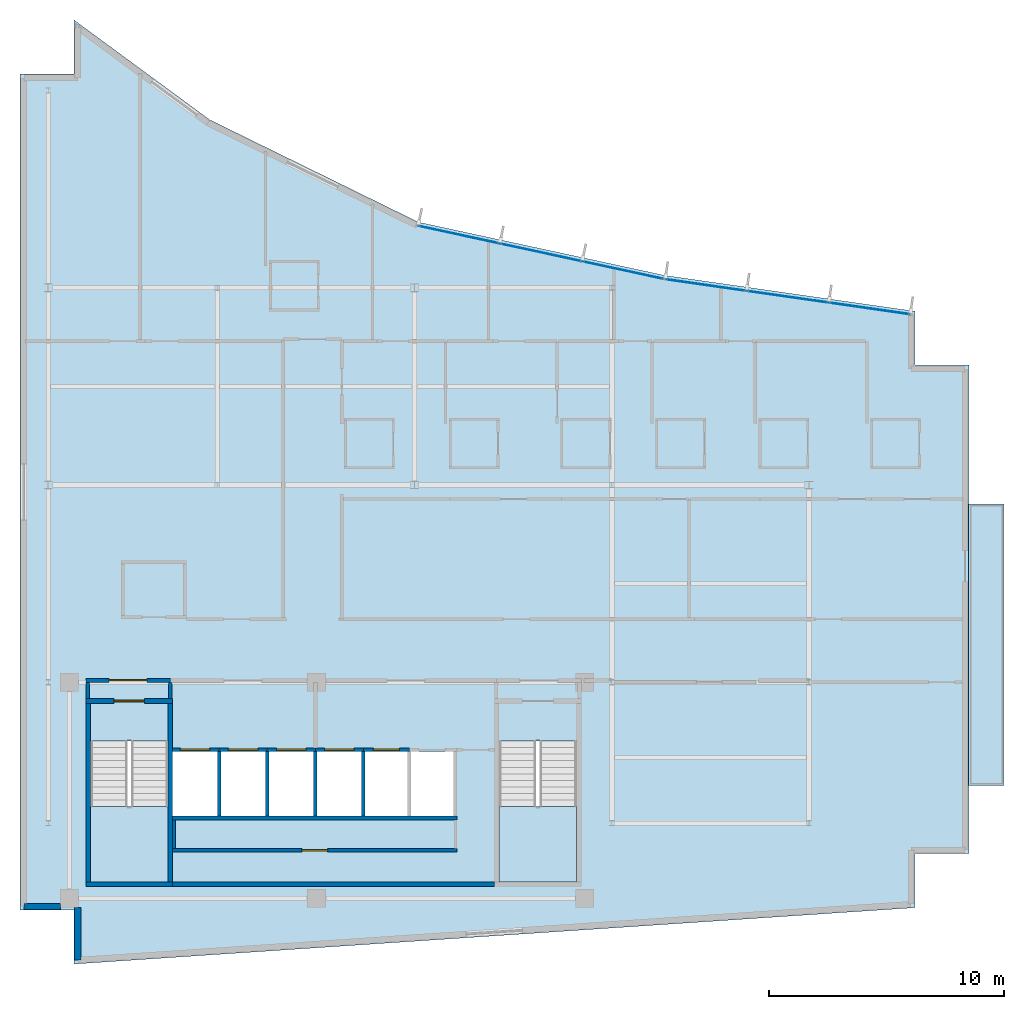
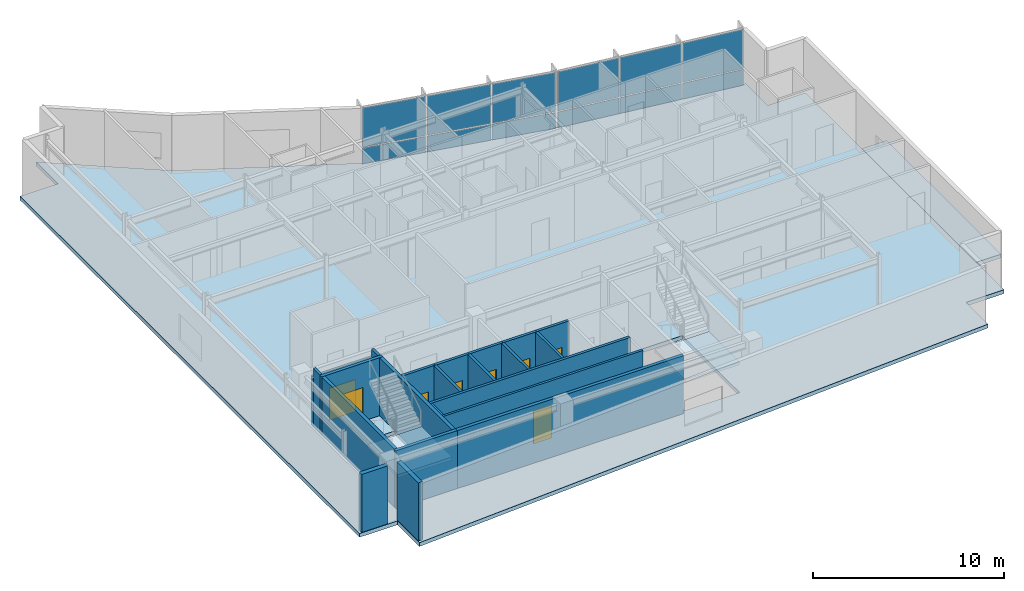
# One storey, part 9 of 16: 22 walls, 12 plates, 8 doors, 4 slabs, 8 openings, 4 elements without a shape of their own.
"""IFC4 building model written with IfcOpenShell, lengths in metres."""

from ifc_helpers import new_model, si_unit, direction, frame, frame_2d, origin, origin_2d, place, context, subcontext, project, spatial, polyline, rectangle, outline, extrude, material, layer, layer_set, type_object, element, fill, aggregate, save


model = new_model("IFC4")

# Units and contexts
model_context = context("Model", 3, precision=1e-05, world=origin(), true_north=direction((0.0, 1.0)))
body_context = subcontext(model_context, "Body", "Model", "MODEL_VIEW")
ifc_project = project(units=[si_unit("LENGTHUNIT", "METRE"), si_unit("AREAUNIT", "SQUARE_METRE"), si_unit("VOLUMEUNIT", "CUBIC_METRE"), si_unit("PLANEANGLEUNIT", "RADIAN"), si_unit("MASSUNIT", "GRAM", prefix="KILO")], contexts=[model_context])

# Site, building, storey
site_placement = place(None, origin())
site = spatial("IfcSite", under=ifc_project, at=site_placement, CompositionType="ELEMENT")
building_placement = place(site_placement, origin())
building = spatial("IfcBuilding", under=site, at=building_placement, Name="Varnakote Quay Hospital", CompositionType="ELEMENT")
storey_placement = place(building_placement, frame((0.0, 0.0, 292.10009765625)))
storey = spatial("IfcBuildingStorey", under=building, at=storey_placement, Name="L72", CompositionType="ELEMENT", Elevation=292.10009765625)

# Curtain wall, plates
ifc_material_1 = material(Name="Anodised aluminium 6063-T6 Bronze", Category="aluminium")
ifc_layer_1 = layer(ifc_material_1, 0.235107421875)
ifc_layer_set_1 = layer_set([ifc_layer_1], Name="Anodised aluminium 6063-T6 Bronze")
curtain_wall_type = type_object("IfcCurtainWallType", Name="CW-SYS-5", PredefinedType="NOTDEFINED", material=ifc_layer_set_1)
curtain_wall_1_placement = place(storey_placement, origin())
curtain_wall_1 = element("IfcCurtainWall", 1, at=curtain_wall_1_placement, inside=storey, type_object=curtain_wall_type, Name="L72 Unitised Bronze Curtain Wall 1", PredefinedType="NOTDEFINED")
ifc_material_2 = material(Name="Double-glazed low-E solar glass", Category="glass")
ifc_layer_2 = layer(ifc_material_2, 0.028076171875)
ifc_layer_set_2 = layer_set([ifc_layer_2], Name="Double-glazed low-E solar glass")
plate_type = type_object("IfcPlateType", Name="CW-PNL-GLZ-28", PredefinedType="CURTAIN_PANEL", material=ifc_layer_set_2)
plate_1_placement = place(storey_placement, frame((36.174560546875, 27.913818359375, 0.06494140625), z_axis=(0.0, 0.0, 1.0), x_axis=(-0.989927979062, 0.141571876691, 0.0)))
plate_1 = element("IfcPlate", 2, at=plate_1_placement, type_object=plate_type, Name="-5-L72-1 panel 1.1", PredefinedType="CURTAIN_PANEL", context=body_context, shape_type="SweptSolid", body=[
    extrude(rectangle(XDim=3.436767578125, YDim=0.028076171875, at=origin_2d()), origin(), (0.0, 0.0, 1.0), 1.00244140625),
])
plate_2_placement = place(storey_placement, frame((36.174560546875, 27.913818359375, 1.13232421875), z_axis=(0.0, 0.0, 1.0), x_axis=(-0.989927979062, 0.141571876691, 0.0)))
plate_2 = element("IfcPlate", 3, at=plate_2_placement, type_object=plate_type, Name="-5-L72-1 panel 1.2", PredefinedType="CURTAIN_PANEL", context=body_context, shape_type="SweptSolid", body=[
    extrude(rectangle(XDim=3.436767578125, YDim=0.028076171875, at=origin_2d()), origin(), (0.0, 0.0, 1.0), 2.512451171875),
])
plate_3_placement = place(storey_placement, frame((32.69189453125, 28.411865234375, 0.06494140625), z_axis=(0.0, 0.0, 1.0), x_axis=(-0.989927979062, 0.141571876691, 0.0)))
plate_3 = element("IfcPlate", 4, at=plate_3_placement, type_object=plate_type, Name="-5-L72-1 panel 2.1", PredefinedType="CURTAIN_PANEL", context=body_context, shape_type="SweptSolid", body=[
    extrude(rectangle(XDim=3.469482421875, YDim=0.028076171875, at=origin_2d()), origin(), (0.0, 0.0, 1.0), 1.00244140625),
])
plate_4_placement = place(storey_placement, frame((32.69189453125, 28.411865234375, 1.13232421875), z_axis=(0.0, 0.0, 1.0), x_axis=(-0.989927979062, 0.141571876691, 0.0)))
plate_4 = element("IfcPlate", 5, at=plate_4_placement, type_object=plate_type, Name="-5-L72-1 panel 2.2", PredefinedType="CURTAIN_PANEL", context=body_context, shape_type="SweptSolid", body=[
    extrude(rectangle(XDim=3.469482421875, YDim=0.028076171875, at=origin_2d()), origin(), (0.0, 0.0, 1.0), 2.512451171875),
])
plate_5_placement = place(storey_placement, frame((29.209228515625, 28.909912109375, 0.06494140625), z_axis=(0.0, 0.0, 1.0), x_axis=(-0.989927979062, 0.141571876691, 0.0)))
plate_5 = element("IfcPlate", 6, at=plate_5_placement, type_object=plate_type, Name="-5-L72-1 panel 3.1", PredefinedType="CURTAIN_PANEL", context=body_context, shape_type="SweptSolid", body=[
    extrude(rectangle(XDim=3.436767578125, YDim=0.028076171875, at=origin_2d()), origin(), (0.0, 0.0, 1.0), 1.00244140625),
])
plate_6_placement = place(storey_placement, frame((29.209228515625, 28.909912109375, 1.13232421875), z_axis=(0.0, 0.0, 1.0), x_axis=(-0.989927979062, 0.141571876691, 0.0)))
plate_6 = element("IfcPlate", 7, at=plate_6_placement, type_object=plate_type, Name="-5-L72-1 panel 3.2", PredefinedType="CURTAIN_PANEL", context=body_context, shape_type="SweptSolid", body=[
    extrude(rectangle(XDim=3.436767578125, YDim=0.028076171875, at=origin_2d()), origin(), (0.0, 0.0, 1.0), 2.512451171875),
])
aggregate(curtain_wall_1, [plate_1, plate_2, plate_3, plate_4, plate_5, plate_6])

curtain_wall_2_placement = place(storey_placement, origin())
curtain_wall_2 = element("IfcCurtainWall", 8, at=curtain_wall_2_placement, inside=storey, type_object=curtain_wall_type, Name="L72 Unitised Bronze Curtain Wall 2", PredefinedType="NOTDEFINED")
plate_7_placement = place(storey_placement, frame((25.673095703125, 29.54541015625, 0.06494140625), z_axis=(0.0, 0.0, 1.0), x_axis=(-0.97739794114, 0.211407815974, 0.0)))
plate_7 = element("IfcPlate", 9, at=plate_7_placement, type_object=plate_type, Name="-5-L72-2 panel 1.1", PredefinedType="CURTAIN_PANEL", context=body_context, shape_type="SweptSolid", body=[
    extrude(rectangle(XDim=3.4931640625, YDim=0.028076171875, at=origin_2d()), origin(), (0.0, 0.0, 1.0), 1.00244140625),
])
plate_8_placement = place(storey_placement, frame((25.673095703125, 29.54541015625, 1.13232421875), z_axis=(0.0, 0.0, 1.0), x_axis=(-0.97739794114, 0.211407815974, 0.0)))
plate_8 = element("IfcPlate", 10, at=plate_8_placement, type_object=plate_type, Name="-5-L72-2 panel 1.2", PredefinedType="CURTAIN_PANEL", context=body_context, shape_type="SweptSolid", body=[
    extrude(rectangle(XDim=3.4931640625, YDim=0.028076171875, at=origin_2d()), origin(), (0.0, 0.0, 1.0), 2.512451171875),
])
plate_9_placement = place(storey_placement, frame((22.179443359375, 30.301025390625, 0.06494140625), z_axis=(0.0, 0.0, 1.0), x_axis=(-0.97739794114, 0.211407815974, 0.0)))
plate_9 = element("IfcPlate", 11, at=plate_9_placement, type_object=plate_type, Name="-5-L72-2 panel 2.1", PredefinedType="CURTAIN_PANEL", context=body_context, shape_type="SweptSolid", body=[
    extrude(rectangle(XDim=3.525634765625, YDim=0.028076171875, at=origin_2d()), origin(), (0.0, 0.0, 1.0), 1.00244140625),
])
plate_10_placement = place(storey_placement, frame((22.179443359375, 30.301025390625, 1.13232421875), z_axis=(0.0, 0.0, 1.0), x_axis=(-0.97739794114, 0.211407815974, 0.0)))
plate_10 = element("IfcPlate", 12, at=plate_10_placement, type_object=plate_type, Name="-5-L72-2 panel 2.2", PredefinedType="CURTAIN_PANEL", context=body_context, shape_type="SweptSolid", body=[
    extrude(rectangle(XDim=3.525634765625, YDim=0.028076171875, at=origin_2d()), origin(), (0.0, 0.0, 1.0), 2.512451171875),
])
plate_11_placement = place(storey_placement, frame((18.685791015625, 31.056640625, 0.06494140625), z_axis=(0.0, 0.0, 1.0), x_axis=(-0.97739794114, 0.211407815974, 0.0)))
plate_11 = element("IfcPlate", 13, at=plate_11_placement, type_object=plate_type, Name="-5-L72-2 panel 3.1", PredefinedType="CURTAIN_PANEL", context=body_context, shape_type="SweptSolid", body=[
    extrude(rectangle(XDim=3.4931640625, YDim=0.028076171875, at=origin_2d()), origin(), (0.0, 0.0, 1.0), 1.00244140625),
])
plate_12_placement = place(storey_placement, frame((18.685791015625, 31.056640625, 1.13232421875), z_axis=(0.0, 0.0, 1.0), x_axis=(-0.97739794114, 0.211407815974, 0.0)))
plate_12 = element("IfcPlate", 14, at=plate_12_placement, type_object=plate_type, Name="-5-L72-2 panel 3.2", PredefinedType="CURTAIN_PANEL", context=body_context, shape_type="SweptSolid", body=[
    extrude(rectangle(XDim=3.4931640625, YDim=0.028076171875, at=origin_2d()), origin(), (0.0, 0.0, 1.0), 2.512451171875),
])
aggregate(curtain_wall_2, [plate_7, plate_8, plate_9, plate_10, plate_11, plate_12])

# Stair, slab
ifc_material_3 = material(Name="Concrete N40 (f'c 40 MPa)", Category="concrete")
stair_type = type_object("IfcStairType", Name="STR-CORE-1580", PredefinedType="HALF_TURN_STAIR", material=ifc_material_3)
stair_1_placement = place(storey_placement, origin())
stair_1 = element("IfcStair", 15, at=stair_1_placement, inside=storey, type_object=stair_type, Name="L72 Fire-Isolated Exit Stair ST-01", PredefinedType="HALF_TURN_STAIR")
ifc_material_4 = material(Name="Concrete N40 (f'c 40 MPa)", Category="concrete")
ifc_layer_3 = layer(ifc_material_4, 0.199951171875)
ifc_layer_set_3 = layer_set([ifc_layer_3], Name="Concrete N40 (f'c 40 MPa)")
slab_type_1 = type_object("IfcSlabType", Name="SLB-STAIR-LND-200", PredefinedType="LANDING", material=ifc_layer_set_3)
slab_1_placement = place(storey_placement, frame((0.0, 0.0, 1.77490234375)))
slab_1 = element("IfcSlab", 16, at=slab_1_placement, type_object=slab_type_1, Name="ST-01 landing 1", PredefinedType="LANDING", context=body_context, shape_type="SweptSolid", body=[
    extrude(outline(polyline([(3.0, 6.699951171875), (3.0, 3.5), (6.300048828125, 3.5), (6.300048828125, 6.699951171875), (3.0, 6.699951171875)])), origin(), (0.0, 0.0, 1.0), 0.199951171875),
])
aggregate(stair_1, [slab_1])

stair_2_placement = place(storey_placement, origin())
stair_2 = element("IfcStair", 17, at=stair_2_placement, inside=storey, type_object=stair_type, Name="L72 Fire-Isolated Exit Stair ST-02", PredefinedType="HALF_TURN_STAIR")
slab_2_placement = place(storey_placement, frame((0.0, 0.0, 1.77490234375)))
slab_2 = element("IfcSlab", 18, at=slab_2_placement, type_object=slab_type_1, Name="ST-02 landing 1", PredefinedType="LANDING", context=body_context, shape_type="SweptSolid", body=[
    extrude(outline(polyline([(20.39990234375, 6.699951171875), (20.39990234375, 3.5), (23.699951171875, 3.5), (23.699951171875, 6.699951171875), (20.39990234375, 6.699951171875)])), origin(), (0.0, 0.0, 1.0), 0.199951171875),
])
aggregate(stair_2, [slab_2])

# Slabs
ifc_material_5 = material(Name="Concrete N50 (f'c 50 MPa)", Category="concrete")
ifc_layer_4 = layer(ifc_material_5, 0.239990234375)
ifc_layer_set_4 = layer_set([ifc_layer_4], Name="Concrete N50 (f'c 50 MPa)")
slab_type_2 = type_object("IfcSlabType", Name="SLB-TERR-200", PredefinedType="FLOOR", material=ifc_layer_set_4)
slab_3_placement = place(storey_placement, frame((0.0, 0.0, -0.239990234375)))
element("IfcSlab", 19, at=slab_3_placement, inside=storey, type_object=slab_type_2, Name="L72 Waterfront Healing Terrace Slab", PredefinedType="FLOOR", context=body_context, shape_type="SweptSolid", body=[
    extrude(outline(polyline([(40.39599609375, 7.60009765625), (41.89990234375, 7.60009765625), (41.89990234375, 19.60009765625), (40.39599609375, 19.60009765625), (40.39599609375, 7.60009765625)])), origin(), (0.0, 0.0, 1.0), 0.239990234375),
])
ifc_material_6 = material(Name="Concrete N50 (f'c 50 MPa)", Category="concrete")
ifc_layer_5 = layer(ifc_material_6, 0.239990234375)
ifc_layer_set_5 = layer_set([ifc_layer_5], Name="Concrete N50 (f'c 50 MPa)")
slab_type_3 = type_object("IfcSlabType", Name="SLB-WARD-200", PredefinedType="FLOOR", material=ifc_layer_set_5)
slab_4_placement = place(storey_placement, frame((0.0, 0.0, -0.239990234375)))
element("IfcSlab", 20, at=slab_4_placement, inside=storey, type_object=slab_type_3, Name="L72 Primary Floor Slab", PredefinedType="FLOOR", context=body_context, shape_type="SweptSolid", body=[
    extrude(outline(polyline([(0.0, 2.300048828125), (2.300048828125, 2.300048828125), (2.300048828125, 0.0), (38.10009765625, 2.39990234375), (38.10009765625, 4.699951171875), (40.39990234375, 4.699951171875), (40.39990234375, 25.5), (38.10009765625, 25.5), (38.10009765625, 27.800048828125), (27.471923828125, 29.320068359375), (16.968017578125, 31.592041015625), (8.080078125, 35.951904296875), (2.300048828125, 40.199951171875), (2.300048828125, 37.89990234375), (0.0, 37.89990234375), (0.0, 2.300048828125)]), holes=[polyline([(3.0, 3.5), (6.300048828125, 3.5), (6.300048828125, 9.49951171875), (3.0, 9.49951171875), (3.0, 3.5)]), polyline([(20.39990234375, 3.5), (23.699951171875, 3.5), (23.699951171875, 9.49951171875), (20.39990234375, 9.49951171875), (20.39990234375, 3.5)]), polyline([(6.5, 6.300048828125), (8.39990234375, 6.300048828125), (8.39990234375, 9.050048828125), (6.5, 9.050048828125), (6.5, 6.300048828125)]), polyline([(8.550048828125, 6.300048828125), (10.449951171875, 6.300048828125), (10.449951171875, 9.050048828125), (8.550048828125, 9.050048828125), (8.550048828125, 6.300048828125)]), polyline([(10.60009765625, 6.300048828125), (12.5, 6.300048828125), (12.5, 9.050048828125), (10.60009765625, 9.050048828125), (10.60009765625, 6.300048828125)]), polyline([(12.64990234375, 6.300048828125), (14.550048828125, 6.300048828125), (14.550048828125, 9.050048828125), (12.64990234375, 9.050048828125), (12.64990234375, 6.300048828125)]), polyline([(14.699951171875, 6.300048828125), (16.5, 6.300048828125), (16.5, 9.050048828125), (14.699951171875, 9.050048828125), (14.699951171875, 6.300048828125)]), polyline([(16.64990234375, 6.300048828125), (18.449951171875, 6.300048828125), (18.449951171875, 9.050048828125), (16.64990234375, 9.050048828125), (16.64990234375, 6.300048828125)])]), origin(), (0.0, 0.0, 1.0), 0.239990234375),
])

# Wall
ifc_material_7 = material(Name="Fire-rated acoustic gypsum stud wall", Category="gypsum")
ifc_layer_6 = layer(ifc_material_7, 0.159912109375)
ifc_layer_set_6 = layer_set([ifc_layer_6], Name="Fire-rated acoustic gypsum stud wall")
wall_type_1 = type_object("IfcWallType", Name="WL-COMP-160", PredefinedType="PARTITIONING", material=ifc_layer_set_6)
wall_1_placement = place(storey_placement, frame((2.8798828125, 11.300048828125, 0.0), z_axis=(0.0, 0.0, 1.0), x_axis=(0.0, 1.0, 0.0)))
element("IfcWall", 21, at=wall_1_placement, inside=storey, type_object=wall_type_1, Name="L72 West Stair Vestibule West Wall", PredefinedType="PARTITIONING", context=body_context, shape_type="SweptSolid", body=[
    extrude(rectangle(XDim=0.699951171875, YDim=0.159912109375, at=frame_2d((0.35009765625, 0.0))), origin(), (0.0, 0.0, 1.0), 3.7099609375),
])

# Wall, opening, door
wall_2_placement = place(storey_placement, frame((2.800048828125, 12.080078125, 0.0), z_axis=(0.0, 0.0, 1.0), x_axis=(1.0, 0.0, 0.0)))
wall_2 = element("IfcWall", 22, at=wall_2_placement, inside=storey, type_object=wall_type_1, Name="L72 West Stair Vestibule Smoke Wall", PredefinedType="PARTITIONING", context=body_context, shape_type="SweptSolid", body=[
    extrude(rectangle(XDim=3.599853515625, YDim=0.159912109375, at=frame_2d((1.7998046875, 0.0))), origin(), (0.0, 0.0, 1.0), 3.156982421875),
])
opening_1_placement = place(wall_2_placement, frame((1.0, 0.0, 0.0)))
opening_1 = element("IfcOpeningElement", 23, at=opening_1_placement, cuts=wall_2, Name="Opening D-ST1L-L72", PredefinedType="OPENING", context=body_context, shape_type="SweptSolid", body=[
    extrude(rectangle(XDim=1.60009765625, YDim=2.050048828125, at=frame_2d((0.800048828125, 1.02490234375))), frame((0.0, 0.08984375, 0.0), z_axis=(0.0, -1.0, 0.0), x_axis=(1.0, 0.0, 0.0)), (0.0, 0.0, 1.0), 0.179931640625),
])
ifc_material_8 = material(Name="Fire-rated double smoke lobby door")
door_type_1 = type_object("IfcDoorType", Name="DR-LOBBY-FD60S-1600x2150", OperationType="NOTDEFINED", PredefinedType="DOOR", material=ifc_material_8)
door_1_placement = place(opening_1_placement, origin())
door_1 = element("IfcDoor", 24, at=door_1_placement, inside=storey, type_object=door_type_1, Name="L72 West Stair Vestibule Smoke Door", OperationType="DOUBLE_DOOR_SINGLE_SWING", OverallHeight=2.050048828125, OverallWidth=1.60009765625, PredefinedType="DOOR", context=body_context, shape_type="SweptSolid", body=[
    extrude(rectangle(XDim=1.60009765625, YDim=2.050048828125, at=frame_2d((0.800048828125, 1.02490234375))), frame((0.0, 0.02490234375, 0.0), z_axis=(0.0, -1.0, 0.0), x_axis=(1.0, 0.0, 0.0)), (0.0, 0.0, 1.0), 0.050048828125),
])
fill(opening_1, door_1)

# Walls
wall_3_placement = place(storey_placement, frame((6.39990234375, 11.300048828125, 0.0), z_axis=(0.0, 0.0, 1.0), x_axis=(0.0, 1.0, 0.0)))
element("IfcWall", 25, at=wall_3_placement, inside=storey, type_object=wall_type_1, Name="L72 Firefighting Lobby West Wall", PredefinedType="PARTITIONING", context=body_context, shape_type="SweptSolid", body=[
    extrude(rectangle(XDim=0.699951171875, YDim=0.159912109375, at=frame_2d((0.35009765625, 0.0))), origin(), (0.0, 0.0, 1.0), 3.7099609375),
])
ifc_material_9 = material(Name="Concrete N50 (f'c 50 MPa)", Category="concrete")
ifc_layer_7 = layer(ifc_material_9, 0.199951171875)
ifc_layer_set_7 = layer_set([ifc_layer_7], Name="Concrete N50 (f'c 50 MPa)")
wall_type_2 = type_object("IfcWallType", Name="WL-CORE-N50-200", PredefinedType="SHEAR", material=ifc_layer_set_7)
wall_4_placement = place(storey_placement, frame((6.5, 3.39990234375, 0.0), z_axis=(0.0, 0.0, 1.0), x_axis=(1.0, 0.0, 0.0)))
element("IfcWall", 26, at=wall_4_placement, inside=storey, type_object=wall_type_2, Name="L72 Rear Core South Shear Wall", PredefinedType="SHEAR", context=body_context, shape_type="SweptSolid", body=[
    extrude(rectangle(XDim=13.699951171875, YDim=0.199951171875, at=frame_2d((6.85009765625, 0.0))), origin(), (0.0, 0.0, 1.0), 3.7099609375),
])
ifc_material_10 = material(Name="Precast concrete N50 (f'c 50 MPa)", Category="concrete")
ifc_layer_8 = layer(ifc_material_10, 0.260009765625)
ifc_layer_set_8 = layer_set([ifc_layer_8], Name="Precast concrete N50 (f'c 50 MPa)")
wall_type_3 = type_object("IfcWallType", Name="WL-EXT-BRICK-260", PredefinedType="STANDARD", material=ifc_layer_set_8)
wall_5_placement = place(storey_placement, frame((2.4599609375, 2.4150390625, 0.0), z_axis=(0.0, 0.0, 1.0), x_axis=(0.0, -1.0, 0.0)))
element("IfcWall", 27, at=wall_5_placement, inside=storey, type_object=wall_type_3, Name="L72 Brick-Faced Precast Exterior Wall", PredefinedType="STANDARD", context=body_context, shape_type="SweptSolid", body=[
    extrude(rectangle(XDim=2.243896484375, YDim=0.260009765625, at=frame_2d((1.1220703125, 0.0))), origin(), (0.0, 0.0, 1.0), 3.7099609375),
])
wall_6_placement = place(storey_placement, frame((0.159912109375, 2.4599609375, 0.0), z_axis=(0.0, 0.0, 1.0), x_axis=(1.0, 0.0, 0.0)))
element("IfcWall", 28, at=wall_6_placement, inside=storey, type_object=wall_type_3, Name="L72 Brick-Faced Precast Exterior Wall", PredefinedType="STANDARD", context=body_context, shape_type="SweptSolid", body=[
    extrude(rectangle(XDim=1.55517578125, YDim=0.260009765625, at=frame_2d((0.777587890625, 0.0))), origin(), (0.0, 0.0, 1.0), 3.7099609375),
])
ifc_material_11 = material(Name="Concrete N50 (f'c 50 MPa)", Category="concrete")
ifc_layer_9 = layer(ifc_material_11, 0.14990234375)
ifc_layer_set_9 = layer_set([ifc_layer_9], Name="Concrete N50 (f'c 50 MPa)")
wall_type_4 = type_object("IfcWallType", Name="WL-SHAFT-N50-150", PredefinedType="SHEAR", material=ifc_layer_set_9)
for number, where, z_axis, x_axis, name in (
    (29, (8.47509765625, 6.300048828125, 0.0), (0.0, 0.0, 1.0), (0.0, 1.0, 0.0), "L72 LF-FF1 Hoistway Divider Wall"),
    (30, (10.52490234375, 6.300048828125, 0.0), (0.0, 0.0, 1.0), (0.0, 1.0, 0.0), "L72 LF-FF2 Hoistway Divider Wall"),
    (31, (12.574951171875, 6.300048828125, 0.0), (0.0, 0.0, 1.0), (0.0, 1.0, 0.0), "L72 LF-SV1 Hoistway Divider Wall"),
    (32, (14.625, 6.300048828125, 0.0), (0.0, 0.0, 1.0), (0.0, 1.0, 0.0), "L72 LF-SV2 Hoistway Divider Wall"),
):
    element("IfcWall", number, at=place(storey_placement, frame(where, z_axis=z_axis, x_axis=x_axis)), inside=storey, type_object=wall_type_4, Name=name, PredefinedType="SHEAR", context=body_context, shape_type="SweptSolid", body=[
        extrude(rectangle(XDim=2.75, YDim=0.14990234375, at=frame_2d((1.375, 0.0))), origin(), (0.0, 0.0, 1.0), 3.7099609375),
    ])
ifc_material_12 = material(Name="Concrete N50 (f'c 50 MPa)", Category="concrete")
ifc_layer_10 = layer(ifc_material_12, 0.159912109375)
ifc_layer_set_10 = layer_set([ifc_layer_10], Name="Concrete N50 (f'c 50 MPa)")
wall_type_5 = type_object("IfcWallType", Name="WL-SHAFT-N50-160", PredefinedType="SHEAR", material=ifc_layer_set_10)
wall_7_placement = place(storey_placement, frame((6.5, 6.219970703125, 0.0), z_axis=(0.0, 0.0, 1.0), x_axis=(1.0, 0.0, 0.0)))
element("IfcWall", 33, at=wall_7_placement, inside=storey, type_object=wall_type_5, Name="L72 REAR Lift Bank Back Shear Wall", PredefinedType="SHEAR", context=body_context, shape_type="SweptSolid", body=[
    extrude(rectangle(XDim=12.110107421875, YDim=0.159912109375, at=frame_2d((6.05517578125, 0.0))), origin(), (0.0, 0.0, 1.0), 3.7099609375),
])

# Wall, opening, door
wall_8_placement = place(storey_placement, frame((6.5, 9.1298828125, 0.0), z_axis=(0.0, 0.0, 1.0), x_axis=(1.0, 0.0, 0.0)))
wall_8 = element("IfcWall", 34, at=wall_8_placement, inside=storey, type_object=wall_type_5, Name="L72 LF-FF1 Hoistway Front Wall", PredefinedType="SHEAR", context=body_context, shape_type="SweptSolid", body=[
    extrude(rectangle(XDim=1.97509765625, YDim=0.159912109375, at=frame_2d((0.987548828125, 0.0))), origin(), (0.0, 0.0, 1.0), 3.7099609375),
])
opening_2_placement = place(wall_8_placement, frame((0.324951171875, 0.0, 0.0)))
opening_2 = element("IfcOpeningElement", 35, at=opening_2_placement, cuts=wall_8, Name="Opening LD-FF1-L72", PredefinedType="OPENING", context=body_context, shape_type="SweptSolid", body=[
    extrude(rectangle(XDim=1.25, YDim=2.14990234375, at=frame_2d((0.625, 1.074951171875))), frame((0.0, 0.08984375, 0.0), z_axis=(0.0, -1.0, 0.0), x_axis=(1.0, 0.0, 0.0)), (0.0, 0.0, 1.0), 0.179931640625),
])
ifc_material_13 = material(Name="Stainless steel lift landing sliding door", Category="steel")
door_type_2 = type_object("IfcDoorType", Name="DR-LIFT-LD-1250x2150", OperationType="NOTDEFINED", PredefinedType="DOOR", material=ifc_material_13)
door_2_placement = place(opening_2_placement, origin())
door_2 = element("IfcDoor", 36, at=door_2_placement, inside=storey, type_object=door_type_2, Name="L72 LF-FF1 Lift Landing Sliding Door", OperationType="SLIDING_TO_LEFT", OverallHeight=2.14990234375, OverallWidth=1.25, PredefinedType="DOOR", context=body_context, shape_type="SweptSolid", body=[
    extrude(rectangle(XDim=1.25, YDim=2.14990234375, at=frame_2d((0.625, 1.074951171875))), frame((0.0, 0.02490234375, 0.0), z_axis=(0.0, -1.0, 0.0), x_axis=(1.0, 0.0, 0.0)), (0.0, 0.0, 1.0), 0.050048828125),
])
fill(opening_2, door_2)

wall_9_placement = place(storey_placement, frame((8.47509765625, 9.1298828125, 0.0), z_axis=(0.0, 0.0, 1.0), x_axis=(1.0, 0.0, 0.0)))
wall_9 = element("IfcWall", 37, at=wall_9_placement, inside=storey, type_object=wall_type_5, Name="L72 LF-FF2 Hoistway Front Wall", PredefinedType="SHEAR", context=body_context, shape_type="SweptSolid", body=[
    extrude(rectangle(XDim=2.0498046875, YDim=0.159912109375, at=frame_2d((1.02490234375, 0.0))), origin(), (0.0, 0.0, 1.0), 3.7099609375),
])
opening_3_placement = place(wall_9_placement, frame((0.39990234375, 0.0, 0.0)))
opening_3 = element("IfcOpeningElement", 38, at=opening_3_placement, cuts=wall_9, Name="Opening LD-FF2-L72", PredefinedType="OPENING", context=body_context, shape_type="SweptSolid", body=[
    extrude(rectangle(XDim=1.25, YDim=2.14990234375, at=frame_2d((0.625, 1.074951171875))), frame((0.0, 0.08984375, 0.0), z_axis=(0.0, -1.0, 0.0), x_axis=(1.0, 0.0, 0.0)), (0.0, 0.0, 1.0), 0.179931640625),
])
door_3_placement = place(opening_3_placement, origin())
door_3 = element("IfcDoor", 39, at=door_3_placement, inside=storey, type_object=door_type_2, Name="L72 LF-FF2 Lift Landing Sliding Door", OperationType="SLIDING_TO_LEFT", OverallHeight=2.14990234375, OverallWidth=1.25, PredefinedType="DOOR", context=body_context, shape_type="SweptSolid", body=[
    extrude(rectangle(XDim=1.25, YDim=2.14990234375, at=frame_2d((0.625, 1.074951171875))), frame((0.0, 0.02490234375, 0.0), z_axis=(0.0, -1.0, 0.0), x_axis=(1.0, 0.0, 0.0)), (0.0, 0.0, 1.0), 0.050048828125),
])
fill(opening_3, door_3)

wall_10_placement = place(storey_placement, frame((10.52490234375, 9.1298828125, 0.0), z_axis=(0.0, 0.0, 1.0), x_axis=(1.0, 0.0, 0.0)))
wall_10 = element("IfcWall", 40, at=wall_10_placement, inside=storey, type_object=wall_type_5, Name="L72 LF-SV1 Hoistway Front Wall", PredefinedType="SHEAR", context=body_context, shape_type="SweptSolid", body=[
    extrude(rectangle(XDim=2.050048828125, YDim=0.159912109375, at=frame_2d((1.02490234375, 0.0))), origin(), (0.0, 0.0, 1.0), 3.7099609375),
])
opening_4_placement = place(wall_10_placement, frame((0.39990234375, 0.0, 0.0)))
opening_4 = element("IfcOpeningElement", 41, at=opening_4_placement, cuts=wall_10, Name="Opening LD-SV1-L72", PredefinedType="OPENING", context=body_context, shape_type="SweptSolid", body=[
    extrude(rectangle(XDim=1.25, YDim=2.14990234375, at=frame_2d((0.625, 1.074951171875))), frame((0.0, 0.08984375, 0.0), z_axis=(0.0, -1.0, 0.0), x_axis=(1.0, 0.0, 0.0)), (0.0, 0.0, 1.0), 0.179931640625),
])
door_4_placement = place(opening_4_placement, origin())
door_4 = element("IfcDoor", 42, at=door_4_placement, inside=storey, type_object=door_type_2, Name="L72 LF-SV1 Lift Landing Sliding Door", OperationType="SLIDING_TO_LEFT", OverallHeight=2.14990234375, OverallWidth=1.25, PredefinedType="DOOR", context=body_context, shape_type="SweptSolid", body=[
    extrude(rectangle(XDim=1.25, YDim=2.14990234375, at=frame_2d((0.625, 1.074951171875))), frame((0.0, 0.02490234375, 0.0), z_axis=(0.0, -1.0, 0.0), x_axis=(1.0, 0.0, 0.0)), (0.0, 0.0, 1.0), 0.050048828125),
])
fill(opening_4, door_4)

wall_11_placement = place(storey_placement, frame((12.574951171875, 9.1298828125, 0.0), z_axis=(0.0, 0.0, 1.0), x_axis=(1.0, 0.0, 0.0)))
wall_11 = element("IfcWall", 43, at=wall_11_placement, inside=storey, type_object=wall_type_5, Name="L72 LF-SV2 Hoistway Front Wall", PredefinedType="SHEAR", context=body_context, shape_type="SweptSolid", body=[
    extrude(rectangle(XDim=2.050048828125, YDim=0.159912109375, at=frame_2d((1.02490234375, 0.0))), origin(), (0.0, 0.0, 1.0), 3.7099609375),
])
opening_5_placement = place(wall_11_placement, frame((0.39990234375, 0.0, 0.0)))
opening_5 = element("IfcOpeningElement", 44, at=opening_5_placement, cuts=wall_11, Name="Opening LD-SV2-L72", PredefinedType="OPENING", context=body_context, shape_type="SweptSolid", body=[
    extrude(rectangle(XDim=1.25, YDim=2.14990234375, at=frame_2d((0.625, 1.074951171875))), frame((0.0, 0.08984375, 0.0), z_axis=(0.0, -1.0, 0.0), x_axis=(1.0, 0.0, 0.0)), (0.0, 0.0, 1.0), 0.179931640625),
])
door_5_placement = place(opening_5_placement, origin())
door_5 = element("IfcDoor", 45, at=door_5_placement, inside=storey, type_object=door_type_2, Name="L72 LF-SV2 Lift Landing Sliding Door", OperationType="SLIDING_TO_LEFT", OverallHeight=2.14990234375, OverallWidth=1.25, PredefinedType="DOOR", context=body_context, shape_type="SweptSolid", body=[
    extrude(rectangle(XDim=1.25, YDim=2.14990234375, at=frame_2d((0.625, 1.074951171875))), frame((0.0, 0.02490234375, 0.0), z_axis=(0.0, -1.0, 0.0), x_axis=(1.0, 0.0, 0.0)), (0.0, 0.0, 1.0), 0.050048828125),
])
fill(opening_5, door_5)

wall_12_placement = place(storey_placement, frame((14.625, 9.1298828125, 0.0), z_axis=(0.0, 0.0, 1.0), x_axis=(1.0, 0.0, 0.0)))
wall_12 = element("IfcWall", 46, at=wall_12_placement, inside=storey, type_object=wall_type_5, Name="L72 LF-PH1 Hoistway Front Wall", PredefinedType="SHEAR", context=body_context, shape_type="SweptSolid", body=[
    extrude(rectangle(XDim=1.949951171875, YDim=0.159912109375, at=frame_2d((0.97509765625, 0.0))), origin(), (0.0, 0.0, 1.0), 3.7099609375),
])
opening_6_placement = place(wall_12_placement, frame((0.425048828125, 0.0, 0.0)))
opening_6 = element("IfcOpeningElement", 47, at=opening_6_placement, cuts=wall_12, Name="Opening LD-PH1-L72", PredefinedType="OPENING", context=body_context, shape_type="SweptSolid", body=[
    extrude(rectangle(XDim=1.10009765625, YDim=2.14990234375, at=frame_2d((0.550048828125, 1.074951171875))), frame((0.0, 0.08984375, 0.0), z_axis=(0.0, -1.0, 0.0), x_axis=(1.0, 0.0, 0.0)), (0.0, 0.0, 1.0), 0.179931640625),
])
ifc_material_14 = material(Name="Brushed bronze lift landing sliding door")
door_type_3 = type_object("IfcDoorType", Name="DR-LIFT-LD-1100x2150", OperationType="NOTDEFINED", PredefinedType="DOOR", material=ifc_material_14)
door_6_placement = place(opening_6_placement, origin())
door_6 = element("IfcDoor", 48, at=door_6_placement, inside=storey, type_object=door_type_3, Name="L72 LF-PH1 Lift Landing Sliding Door", OperationType="SLIDING_TO_LEFT", OverallHeight=2.14990234375, OverallWidth=1.10009765625, PredefinedType="DOOR", context=body_context, shape_type="SweptSolid", body=[
    extrude(rectangle(XDim=1.10009765625, YDim=2.14990234375, at=frame_2d((0.550048828125, 1.074951171875))), frame((0.0, 0.02490234375, 0.0), z_axis=(0.0, -1.0, 0.0), x_axis=(1.0, 0.0, 0.0)), (0.0, 0.0, 1.0), 0.050048828125),
])
fill(opening_6, door_6)

# Walls
ifc_material_15 = material(Name="Concrete N50 (f'c 50 MPa)", Category="concrete")
ifc_layer_11 = layer(ifc_material_15, 0.199951171875)
ifc_layer_set_11 = layer_set([ifc_layer_11], Name="Concrete N50 (f'c 50 MPa)")
wall_type_6 = type_object("IfcWallType", Name="WL-SHAFT-N50-200", PredefinedType="SHEAR", material=ifc_layer_set_11)
wall_13_placement = place(storey_placement, frame((2.800048828125, 3.39990234375, 0.0), z_axis=(0.0, 0.0, 1.0), x_axis=(1.0, 0.0, 0.0)))
element("IfcWall", 49, at=wall_13_placement, inside=storey, type_object=wall_type_6, Name="L72 Stair ST1 South Shaft Wall", PredefinedType="SHEAR", context=body_context, shape_type="SweptSolid", body=[
    extrude(rectangle(XDim=3.699951171875, YDim=0.199951171875, at=frame_2d((1.85009765625, 0.0))), origin(), (0.0, 0.0, 1.0), 3.7099609375),
])
for number, where, z_axis, x_axis, name in (
    (50, (2.89990234375, 3.5, 0.0), (0.0, 0.0, 1.0), (0.0, 1.0, 0.0), "L72 Stair ST1 West Shaft Wall"),
    (51, (6.39990234375, 3.5, 0.0), (0.0, 0.0, 1.0), (0.0, 1.0, 0.0), "L72 Stair ST1 East Shaft Wall"),
):
    element("IfcWall", number, at=place(storey_placement, frame(where, z_axis=z_axis, x_axis=x_axis)), inside=storey, type_object=wall_type_6, Name=name, PredefinedType="SHEAR", context=body_context, shape_type="SweptSolid", body=[
        extrude(rectangle(XDim=7.60009765625, YDim=0.199951171875, at=frame_2d((3.800048828125, 0.0))), origin(), (0.0, 0.0, 1.0), 3.7099609375),
    ])

# Wall, opening, door
wall_14_placement = place(storey_placement, frame((2.800048828125, 11.199951171875, 0.0), z_axis=(0.0, 0.0, 1.0), x_axis=(1.0, 0.0, 0.0)))
wall_14 = element("IfcWall", 52, at=wall_14_placement, inside=storey, type_object=wall_type_6, Name="L72 Stair ST1 Exit Wall", PredefinedType="SHEAR", context=body_context, shape_type="SweptSolid", body=[
    extrude(rectangle(XDim=3.699951171875, YDim=0.199951171875, at=frame_2d((1.85009765625, 0.0))), origin(), (0.0, 0.0, 1.0), 3.7099609375),
])
opening_7_placement = place(wall_14_placement, frame((1.199951171875, 0.0, 0.0)))
opening_7 = element("IfcOpeningElement", 53, at=opening_7_placement, cuts=wall_14, Name="Opening D-ST1-L72", PredefinedType="OPENING", context=body_context, shape_type="SweptSolid", body=[
    extrude(rectangle(XDim=1.300048828125, YDim=2.14990234375, at=frame_2d((0.64990234375, 1.074951171875))), frame((0.0, 0.10986328125, 0.0), z_axis=(0.0, -1.0, 0.0), x_axis=(1.0, 0.0, 0.0)), (0.0, 0.0, 1.0), 0.219970703125),
])
ifc_material_16 = material(Name="Fire-rated ceramic-glazed timber exit door", Category="wood")
door_type_4 = type_object("IfcDoorType", Name="DR-STAIR-FD60S-1300x2150", OperationType="NOTDEFINED", PredefinedType="DOOR", material=ifc_material_16)
door_7_placement = place(opening_7_placement, origin())
door_7 = element("IfcDoor", 54, at=door_7_placement, inside=storey, type_object=door_type_4, Name="L72 Stair ST1 Fire Exit Door", OperationType="SINGLE_SWING_RIGHT", OverallHeight=2.14990234375, OverallWidth=1.300048828125, PredefinedType="DOOR", context=body_context, shape_type="SweptSolid", body=[
    extrude(rectangle(XDim=1.300048828125, YDim=2.14990234375, at=frame_2d((0.64990234375, 1.074951171875))), frame((0.0, 0.02490234375, 0.0), z_axis=(0.0, -1.0, 0.0), x_axis=(1.0, 0.0, 0.0)), (0.0, 0.0, 1.0), 0.050048828125),
])
fill(opening_7, door_7)

# Wall
ifc_material_17 = material(Name="Smoke-proof clinical partition", Category="gypsum")
ifc_layer_12 = layer(ifc_material_17, 0.1201171875)
ifc_layer_set_12 = layer_set([ifc_layer_12], Name="Smoke-proof clinical partition")
wall_type_7 = type_object("IfcWallType", Name="WL-SMOKE-120", PredefinedType="PARTITIONING", material=ifc_layer_set_12)
wall_15_placement = place(storey_placement, frame((6.56005859375, 4.919921875, 0.0), z_axis=(0.0, 0.0, 1.0), x_axis=(0.0, 1.0, 0.0)))
element("IfcWall", 55, at=wall_15_placement, inside=storey, type_object=wall_type_7, Name="L72 Core Service Strip West Wall", PredefinedType="PARTITIONING", context=body_context, shape_type="SweptSolid", body=[
    extrude(rectangle(XDim=1.219970703125, YDim=0.1201171875, at=frame_2d((0.60986328125, 0.0))), origin(), (0.0, 0.0, 1.0), 3.7099609375),
])

# Wall, opening, door
ifc_material_18 = material(Name="Fire-rated clinical gypsum partition", Category="gypsum")
ifc_layer_13 = layer(ifc_material_18, 0.139892578125)
ifc_layer_set_13 = layer_set([ifc_layer_13], Name="Fire-rated clinical gypsum partition")
wall_type_8 = type_object("IfcWallType", Name="WL-WARD-140", PredefinedType="PARTITIONING", material=ifc_layer_set_13)
wall_16_placement = place(storey_placement, frame((6.5, 4.85009765625, 0.0), z_axis=(0.0, 0.0, 1.0), x_axis=(1.0, 0.0, 0.0)))
wall_16 = element("IfcWall", 56, at=wall_16_placement, inside=storey, type_object=wall_type_8, Name="L72 Core Clean Linen Store South Wall", PredefinedType="PARTITIONING", context=body_context, shape_type="SweptSolid", body=[
    extrude(rectangle(XDim=12.10009765625, YDim=0.139892578125, at=frame_2d((6.050048828125, 0.0))), origin(), (0.0, 0.0, 1.0), 3.7099609375),
])
opening_8_placement = place(wall_16_placement, frame((5.5, 0.0, 0.0)))
opening_8 = element("IfcOpeningElement", 57, at=opening_8_placement, cuts=wall_16, Name="Opening D-L72-CR01", PredefinedType="OPENING", context=body_context, shape_type="SweptSolid", body=[
    extrude(rectangle(XDim=1.10009765625, YDim=2.10009765625, at=frame_2d((0.550048828125, 1.050048828125))), frame((0.0, 0.079833984375, 0.0), z_axis=(0.0, -1.0, 0.0), x_axis=(1.0, 0.0, 0.0)), (0.0, 0.0, 1.0), 0.159912109375),
])
ifc_material_19 = material(Name="Acoustic timber clinical consult door", Category="wood")
door_type_5 = type_object("IfcDoorType", Name="DR-CLIN-FD30S-1100x2100", OperationType="NOTDEFINED", PredefinedType="DOOR", material=ifc_material_19)
door_8_placement = place(opening_8_placement, origin())
door_8 = element("IfcDoor", 58, at=door_8_placement, inside=storey, type_object=door_type_5, Name="L72 Core Clean Linen Store Door", OperationType="SINGLE_SWING_RIGHT", OverallHeight=2.10009765625, OverallWidth=1.10009765625, PredefinedType="DOOR", context=body_context, shape_type="SweptSolid", body=[
    extrude(rectangle(XDim=1.10009765625, YDim=2.10009765625, at=frame_2d((0.550048828125, 1.050048828125))), frame((0.0, 0.02490234375, 0.0), z_axis=(0.0, -1.0, 0.0), x_axis=(1.0, 0.0, 0.0)), (0.0, 0.0, 1.0), 0.050048828125),
])
fill(opening_8, door_8)

save(model, "model.ifc")
